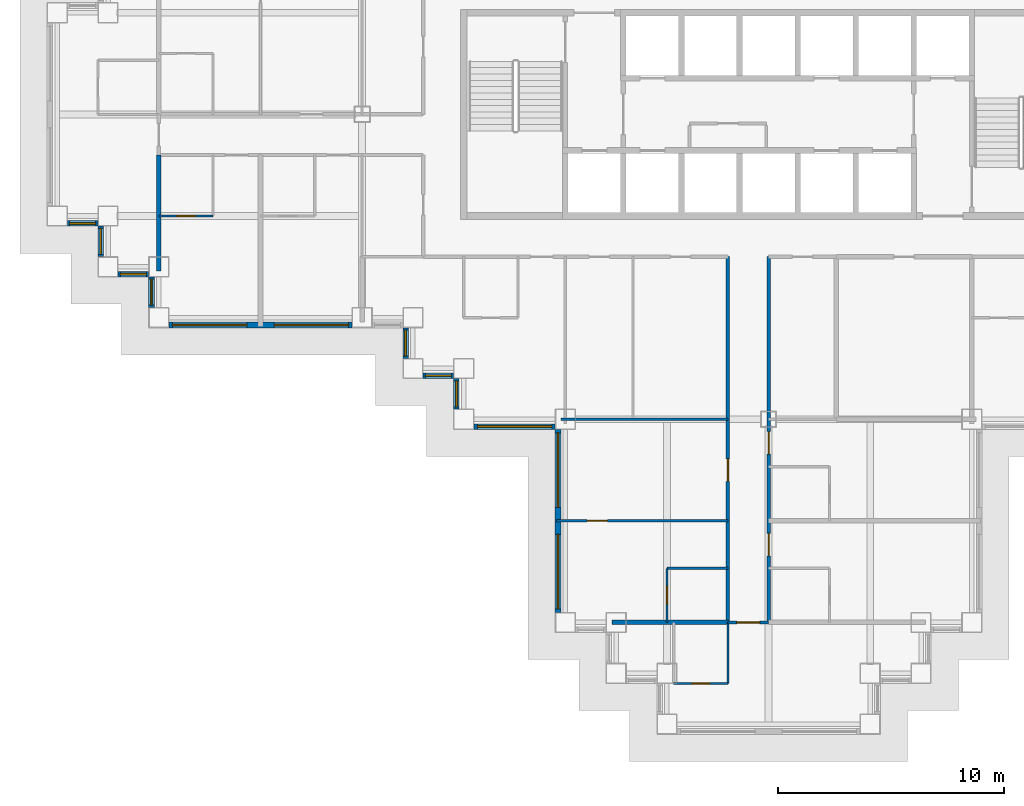
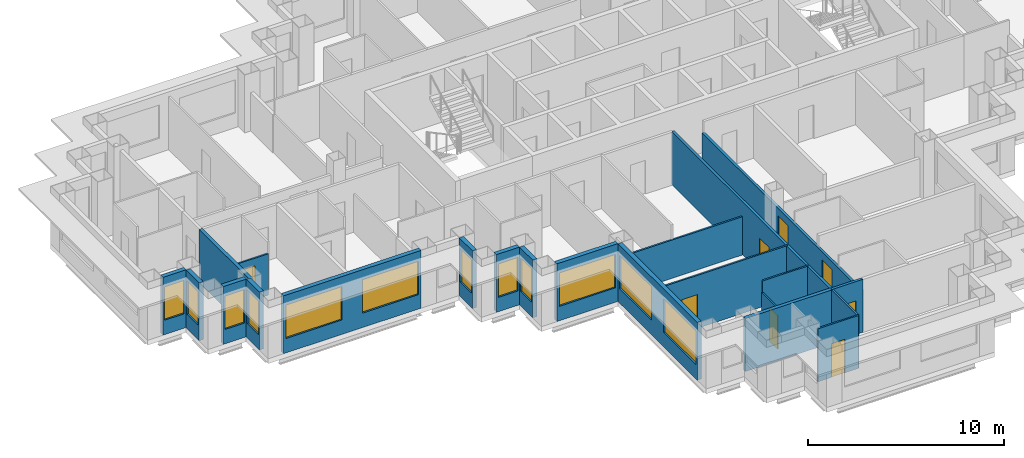
# One storey, part 3 of 15: 22 walls, 12 windows, 8 doors, 20 openings.
"""IFC4 building model written with IfcOpenShell, lengths in metres."""

from ifc_helpers import new_model, si_unit, direction, frame, frame_2d, origin, place, context, subcontext, project, spatial, rectangle, extrude, material, layer, layer_set, type_object, element, fill, save


model = new_model("IFC4")

# Units and contexts
model_context = context("Model", 3, precision=1e-05, world=origin(), true_north=direction((0.0, 1.0)))
body_context = subcontext(model_context, "Body", "Model", "MODEL_VIEW")
ifc_project = project(units=[si_unit("LENGTHUNIT", "METRE"), si_unit("AREAUNIT", "SQUARE_METRE"), si_unit("VOLUMEUNIT", "CUBIC_METRE"), si_unit("PLANEANGLEUNIT", "RADIAN"), si_unit("MASSUNIT", "GRAM", prefix="KILO")], contexts=[model_context])

# Site, building, storey
site_placement = place(None, origin())
site = spatial("IfcSite", under=ifc_project, at=site_placement, CompositionType="ELEMENT")
building_placement = place(site_placement, origin())
building = spatial("IfcBuilding", under=site, at=building_placement, Name="Caravel Reach Hotel and Residences", CompositionType="ELEMENT")
storey_placement = place(building_placement, frame((0.0, 0.0, 108.0)))
storey = spatial("IfcBuildingStorey", under=building, at=storey_placement, Name="L26", CompositionType="ELEMENT", Elevation=108.0)

# Wall, opening, door
ifc_material_1 = material(Name="Gypsum board on steel stud", Category="steel")
ifc_layer_1 = layer(ifc_material_1, 0.10009765625)
ifc_layer_set_1 = layer_set([ifc_layer_1], Name="Bathroom pod wall 100 mm")
wall_type_1 = type_object("IfcWallType", Name="Bathroom pod wall 100 mm", PredefinedType="PARTITIONING", material=ifc_layer_set_1)
wall_1_placement = place(storey_placement, frame((27.300048828125, 1.800048828125, 0.0), z_axis=(0.0, 0.0, 1.0), x_axis=(1.0, 0.0, 0.0)))
wall_1 = element("IfcWall", 1, at=wall_1_placement, inside=storey, type_object=wall_type_1, Name="L26 wall w081", PredefinedType="PARTITIONING", context=body_context, shape_type="SweptSolid", body=[
    extrude(rectangle(XDim=2.39990234375, YDim=0.10009765625, at=frame_2d((1.199951171875, 0.0))), origin(), (0.0, 0.0, 1.0), 3.300048828125),
])
opening_1_placement = place(wall_1_placement, frame((0.800048828125, 0.0, 0.0)))
opening_1 = element("IfcOpeningElement", 2, at=opening_1_placement, cuts=wall_1, Name="Opening D26-044", PredefinedType="OPENING", context=body_context, shape_type="SweptSolid", body=[
    extrude(rectangle(XDim=0.800048828125, YDim=2.10009765625, at=frame_2d((0.39990234375, 1.050048828125))), frame((0.0, 0.06005859375, 0.0), z_axis=(0.0, -1.0, 0.0), x_axis=(1.0, 0.0, 0.0)), (0.0, 0.0, 1.0), 0.1201171875),
])
ifc_material_2 = material(Name="Timber and steel door leaf", Category="steel")
door_type_1 = type_object("IfcDoorType", Name="Bathroom door 800 x 2100", OperationType="SINGLE_SWING_LEFT", PredefinedType="DOOR", material=ifc_material_2)
door_1_placement = place(opening_1_placement, origin())
door_1 = element("IfcDoor", 3, at=door_1_placement, inside=storey, type_object=door_type_1, Name="door D26-044", OperationType="SINGLE_SWING_RIGHT", OverallHeight=2.10009765625, OverallWidth=0.800048828125, PredefinedType="DOOR", context=body_context, shape_type="SweptSolid", body=[
    extrude(rectangle(XDim=0.800048828125, YDim=2.10009765625, at=frame_2d((0.39990234375, 1.050048828125))), frame((0.0, 0.02490234375, 0.0), z_axis=(0.0, -1.0, 0.0), x_axis=(1.0, 0.0, 0.0)), (0.0, 0.0, 1.0), 0.050048828125),
])
fill(opening_1, door_1)

wall_2_placement = place(storey_placement, frame((4.5, 22.5, 0.0), z_axis=(0.0, 0.0, 1.0), x_axis=(1.0, 0.0, 0.0)))
wall_2 = element("IfcWall", 4, at=wall_2_placement, inside=storey, type_object=wall_type_1, Name="L26 wall w086", PredefinedType="PARTITIONING", context=body_context, shape_type="SweptSolid", body=[
    extrude(rectangle(XDim=2.39990234375, YDim=0.10009765625, at=frame_2d((1.199951171875, 0.0))), origin(), (0.0, 0.0, 1.0), 2.580078125),
])
opening_2_placement = place(wall_2_placement, frame((0.800048828125, 0.0, 0.0)))
opening_2 = element("IfcOpeningElement", 5, at=opening_2_placement, cuts=wall_2, Name="Opening D26-018", PredefinedType="OPENING", context=body_context, shape_type="SweptSolid", body=[
    extrude(rectangle(XDim=0.800048828125, YDim=2.10009765625, at=frame_2d((0.39990234375, 1.050048828125))), frame((0.0, 0.06005859375, 0.0), z_axis=(0.0, -1.0, 0.0), x_axis=(1.0, 0.0, 0.0)), (0.0, 0.0, 1.0), 0.1201171875),
])
door_2_placement = place(opening_2_placement, origin())
door_2 = element("IfcDoor", 6, at=door_2_placement, inside=storey, type_object=door_type_1, Name="door D26-018", OperationType="SINGLE_SWING_LEFT", OverallHeight=2.10009765625, OverallWidth=0.800048828125, PredefinedType="DOOR", context=body_context, shape_type="SweptSolid", body=[
    extrude(rectangle(XDim=0.800048828125, YDim=2.10009765625, at=frame_2d((0.39990234375, 1.050048828125))), frame((0.0, 0.02490234375, 0.0), z_axis=(0.0, -1.0, 0.0), x_axis=(1.0, 0.0, 0.0)), (0.0, 0.0, 1.0), 0.050048828125),
])
fill(opening_2, door_2)

# Wall
wall_3_placement = place(storey_placement, frame((27.0, 6.89990234375, 0.0), z_axis=(0.0, 0.0, 1.0), x_axis=(1.0, 0.0, 0.0)))
element("IfcWall", 7, at=wall_3_placement, inside=storey, type_object=wall_type_1, Name="L26 wall w097", PredefinedType="PARTITIONING", context=body_context, shape_type="SweptSolid", body=[
    extrude(rectangle(XDim=2.699951171875, YDim=0.10009765625, at=frame_2d((1.35009765625, 0.0))), origin(), (0.0, 0.0, 1.0), 3.300048828125),
])

# Wall, opening, door
wall_4_placement = place(storey_placement, frame((27.0, 4.5, 0.0), z_axis=(0.0, 0.0, 1.0), x_axis=(0.0, 1.0, 0.0)))
wall_4 = element("IfcWall", 8, at=wall_4_placement, inside=storey, type_object=wall_type_1, Name="L26 wall w104", PredefinedType="PARTITIONING", context=body_context, shape_type="SweptSolid", body=[
    extrude(rectangle(XDim=2.39990234375, YDim=0.10009765625, at=frame_2d((1.199951171875, 0.0))), origin(), (0.0, 0.0, 1.0), 2.580078125),
])
opening_3_placement = place(wall_4_placement, frame((0.800048828125, 0.0, 0.0)))
opening_3 = element("IfcOpeningElement", 9, at=opening_3_placement, cuts=wall_4, Name="Opening D26-034", PredefinedType="OPENING", context=body_context, shape_type="SweptSolid", body=[
    extrude(rectangle(XDim=0.800048828125, YDim=2.10009765625, at=frame_2d((0.39990234375, 1.050048828125))), frame((0.0, 0.06005859375, 0.0), z_axis=(0.0, -1.0, 0.0), x_axis=(1.0, 0.0, 0.0)), (0.0, 0.0, 1.0), 0.1201171875),
])
door_3_placement = place(opening_3_placement, origin())
door_3 = element("IfcDoor", 10, at=door_3_placement, inside=storey, type_object=door_type_1, Name="door D26-034", OperationType="SINGLE_SWING_LEFT", OverallHeight=2.10009765625, OverallWidth=0.800048828125, PredefinedType="DOOR", context=body_context, shape_type="SweptSolid", body=[
    extrude(rectangle(XDim=0.800048828125, YDim=2.10009765625, at=frame_2d((0.39990234375, 1.050048828125))), frame((0.0, 0.02490234375, 0.0), z_axis=(0.0, -1.0, 0.0), x_axis=(1.0, 0.0, 0.0)), (0.0, 0.0, 1.0), 0.050048828125),
])
fill(opening_3, door_3)

# Wall
wall_5_placement = place(storey_placement, frame((29.699951171875, 1.800048828125, 0.0), z_axis=(0.0, 0.0, 1.0), x_axis=(0.0, 1.0, 0.0)))
element("IfcWall", 11, at=wall_5_placement, inside=storey, type_object=wall_type_1, Name="L26 wall w107", PredefinedType="PARTITIONING", context=body_context, shape_type="SweptSolid", body=[
    extrude(rectangle(XDim=2.699951171875, YDim=0.10009765625, at=frame_2d((1.35009765625, 0.0))), origin(), (0.0, 0.0, 1.0), 3.300048828125),
])

# Wall, opening, door
ifc_material_3 = material(Name="Gypsum board on steel stud, fire-rated", Category="steel")
ifc_layer_2 = layer(ifc_material_3, 0.14990234375)
ifc_layer_set_2 = layer_set([ifc_layer_2], Name="Corridor wall 150 mm EI 60")
wall_type_2 = type_object("IfcWallType", Name="Corridor wall 150 mm EI 60", PredefinedType="PARTITIONING", material=ifc_layer_set_2)
wall_6_placement = place(storey_placement, frame((29.699951171875, 4.5, 0.0), z_axis=(0.0, 0.0, 1.0), x_axis=(1.0, 0.0, 0.0)))
wall_6 = element("IfcWall", 12, at=wall_6_placement, inside=storey, type_object=wall_type_2, Name="L26 wall w024", PredefinedType="PARTITIONING", context=body_context, shape_type="SweptSolid", body=[
    extrude(rectangle(XDim=1.800048828125, YDim=0.14990234375, at=frame_2d((0.89990234375, 0.0))), origin(), (0.0, 0.0, 1.0), 3.300048828125),
])
opening_4_placement = place(wall_6_placement, frame((0.39990234375, 0.0, 0.0)))
opening_4 = element("IfcOpeningElement", 13, at=opening_4_placement, cuts=wall_6, Name="Opening D26-043", PredefinedType="OPENING", context=body_context, shape_type="SweptSolid", body=[
    extrude(rectangle(XDim=1.0, YDim=2.10009765625, at=frame_2d((0.5, 1.050048828125))), frame((0.0, 0.0849609375, 0.0), z_axis=(0.0, -1.0, 0.0), x_axis=(1.0, 0.0, 0.0)), (0.0, 0.0, 1.0), 0.169921875),
])
ifc_material_4 = material(Name="Steel fire door leaf", Category="steel")
door_type_2 = type_object("IfcDoorType", Name="Guest room door 1000 x 2100 EI 30", OperationType="SINGLE_SWING_LEFT", PredefinedType="DOOR", material=ifc_material_4)
door_4_placement = place(opening_4_placement, origin())
door_4 = element("IfcDoor", 14, at=door_4_placement, inside=storey, type_object=door_type_2, Name="door D26-043", OperationType="SINGLE_SWING_RIGHT", OverallHeight=2.10009765625, OverallWidth=1.0, PredefinedType="DOOR", context=body_context, shape_type="SweptSolid", body=[
    extrude(rectangle(XDim=1.0, YDim=2.10009765625, at=frame_2d((0.5, 1.050048828125))), frame((0.0, 0.02490234375, 0.0), z_axis=(0.0, -1.0, 0.0), x_axis=(1.0, 0.0, 0.0)), (0.0, 0.0, 1.0), 0.050048828125),
])
fill(opening_4, door_4)

wall_7_placement = place(storey_placement, frame((29.699951171875, 4.5, 0.0), z_axis=(0.0, 0.0, 1.0), x_axis=(0.0, 1.0, 0.0)))
wall_7 = element("IfcWall", 15, at=wall_7_placement, inside=storey, type_object=wall_type_2, Name="L26 wall w029", PredefinedType="PARTITIONING", context=body_context, shape_type="SweptSolid", body=[
    extrude(rectangle(XDim=16.199951171875, YDim=0.14990234375, at=frame_2d((8.10009765625, 0.0))), origin(), (0.0, 0.0, 1.0), 3.300048828125),
])
opening_5_placement = place(wall_7_placement, frame((6.25, 0.0, 0.0)))
opening_5 = element("IfcOpeningElement", 16, at=opening_5_placement, cuts=wall_7, Name="Opening D26-032", PredefinedType="OPENING", context=body_context, shape_type="SweptSolid", body=[
    extrude(rectangle(XDim=1.0, YDim=2.10009765625, at=frame_2d((0.5, 1.050048828125))), frame((0.0, 0.0849609375, 0.0), z_axis=(0.0, -1.0, 0.0), x_axis=(1.0, 0.0, 0.0)), (0.0, 0.0, 1.0), 0.169921875),
])
door_5_placement = place(opening_5_placement, origin())
door_5 = element("IfcDoor", 17, at=door_5_placement, inside=storey, type_object=door_type_2, Name="door D26-032", OperationType="SINGLE_SWING_RIGHT", OverallHeight=2.10009765625, OverallWidth=1.0, PredefinedType="DOOR", context=body_context, shape_type="SweptSolid", body=[
    extrude(rectangle(XDim=1.0, YDim=2.10009765625, at=frame_2d((0.5, 1.050048828125))), frame((0.0, 0.02490234375, 0.0), z_axis=(0.0, -1.0, 0.0), x_axis=(1.0, 0.0, 0.0)), (0.0, 0.0, 1.0), 0.050048828125),
])
fill(opening_5, door_5)

# Wall, openings, doors
wall_8_placement = place(storey_placement, frame((31.5, 4.5, 0.0), z_axis=(0.0, 0.0, 1.0), x_axis=(0.0, 1.0, 0.0)))
wall_8 = element("IfcWall", 18, at=wall_8_placement, inside=storey, type_object=wall_type_2, Name="L26 wall w033", PredefinedType="PARTITIONING", context=body_context, shape_type="SweptSolid", body=[
    extrude(rectangle(XDim=16.199951171875, YDim=0.14990234375, at=frame_2d((8.10009765625, 0.0))), origin(), (0.0, 0.0, 1.0), 2.580078125),
])
opening_6_placement = place(wall_8_placement, frame((7.449951171875, 0.0, 0.0)))
opening_6 = element("IfcOpeningElement", 19, at=opening_6_placement, cuts=wall_8, Name="Opening D26-035", PredefinedType="OPENING", context=body_context, shape_type="SweptSolid", body=[
    extrude(rectangle(XDim=1.0, YDim=2.10009765625, at=frame_2d((0.5, 1.050048828125))), frame((0.0, 0.0849609375, 0.0), z_axis=(0.0, -1.0, 0.0), x_axis=(1.0, 0.0, 0.0)), (0.0, 0.0, 1.0), 0.169921875),
])
opening_7_placement = place(wall_8_placement, frame((2.949951171875, 0.0, 0.0)))
opening_7 = element("IfcOpeningElement", 20, at=opening_7_placement, cuts=wall_8, Name="Opening D26-037", PredefinedType="OPENING", context=body_context, shape_type="SweptSolid", body=[
    extrude(rectangle(XDim=1.0, YDim=2.10009765625, at=frame_2d((0.5, 1.050048828125))), frame((0.0, 0.0849609375, 0.0), z_axis=(0.0, -1.0, 0.0), x_axis=(1.0, 0.0, 0.0)), (0.0, 0.0, 1.0), 0.169921875),
])
door_6_placement = place(opening_6_placement, origin())
door_6 = element("IfcDoor", 21, at=door_6_placement, inside=storey, type_object=door_type_2, Name="door D26-035", OperationType="SINGLE_SWING_RIGHT", OverallHeight=2.10009765625, OverallWidth=1.0, PredefinedType="DOOR", context=body_context, shape_type="SweptSolid", body=[
    extrude(rectangle(XDim=1.0, YDim=2.10009765625, at=frame_2d((0.5, 1.050048828125))), frame((0.0, 0.02490234375, 0.0), z_axis=(0.0, -1.0, 0.0), x_axis=(1.0, 0.0, 0.0)), (0.0, 0.0, 1.0), 0.050048828125),
])
fill(opening_6, door_6)
door_7_placement = place(opening_7_placement, origin())
door_7 = element("IfcDoor", 22, at=door_7_placement, inside=storey, type_object=door_type_2, Name="door D26-037", OperationType="SINGLE_SWING_RIGHT", OverallHeight=2.10009765625, OverallWidth=1.0, PredefinedType="DOOR", context=body_context, shape_type="SweptSolid", body=[
    extrude(rectangle(XDim=1.0, YDim=2.10009765625, at=frame_2d((0.5, 1.050048828125))), frame((0.0, 0.02490234375, 0.0), z_axis=(0.0, -1.0, 0.0), x_axis=(1.0, 0.0, 0.0)), (0.0, 0.0, 1.0), 0.050048828125),
])
fill(opening_7, door_7)

# Wall, opening, window
ifc_material_5 = material(Name="Insulated rainscreen wall, aluminium cladding", Category="aluminium")
ifc_layer_3 = layer(ifc_material_5, 0.25)
ifc_layer_set_3 = layer_set([ifc_layer_3], Name="EW1 Tower rainscreen wall")
wall_type_3 = type_object("IfcWallType", Name="EW1 Tower rainscreen wall", PredefinedType="SOLIDWALL", material=ifc_layer_set_3)
wall_9_placement = place(storey_placement, frame((0.449951171875, 22.175048828125, 0.0), z_axis=(0.0, 0.0, 1.0), x_axis=(1.0, 0.0, 0.0)))
wall_9 = element("IfcWall", 23, at=wall_9_placement, inside=storey, type_object=wall_type_3, Name="External wall L26 S51.1", PredefinedType="SOLIDWALL", context=body_context, shape_type="SweptSolid", body=[
    extrude(rectangle(XDim=1.35009765625, YDim=0.25, at=frame_2d((0.675048828125, 0.0))), origin(), (0.0, 0.0, 1.0), 3.60009765625),
])
opening_8_placement = place(wall_9_placement, frame((0.10009765625, 0.0, 0.89990234375)))
opening_8 = element("IfcOpeningElement", 24, at=opening_8_placement, cuts=wall_9, Name="Opening WN8", PredefinedType="OPENING", context=body_context, shape_type="SweptSolid", body=[
    extrude(rectangle(XDim=1.14990234375, YDim=2.080078125, at=frame_2d((0.574951171875, 1.0400390625))), frame((0.0, 0.135009765625, 0.0), z_axis=(0.0, -1.0, 0.0), x_axis=(1.0, 0.0, 0.0)), (0.0, 0.0, 1.0), 0.27001953125),
])
ifc_material_6 = material(Name="Dark low-e glazing in black aluminium frame", Category="aluminium")
window_type_1 = type_object("IfcWindowType", Name="Hotel suite corner window 1150 x 2080", PartitioningType="SINGLE_PANEL", PredefinedType="WINDOW", material=ifc_material_6)
window_1_placement = place(opening_8_placement, origin())
window_1 = element("IfcWindow", 25, at=window_1_placement, inside=storey, type_object=window_type_1, Name="Window L26 S51.1.1", OverallHeight=2.080078125, OverallWidth=1.14990234375, PartitioningType="SINGLE_PANEL", PredefinedType="WINDOW", context=body_context, shape_type="SweptSolid", body=[
    extrude(rectangle(XDim=1.14990234375, YDim=2.080078125, at=frame_2d((0.574951171875, 1.0400390625))), frame((0.0, 0.030029296875, 0.0), z_axis=(0.0, -1.0, 0.0), x_axis=(1.0, 0.0, 0.0)), (0.0, 0.0, 1.0), 0.06005859375),
])
fill(opening_8, window_1)

wall_10_placement = place(storey_placement, frame((1.925048828125, 22.050048828125, 0.0), z_axis=(0.0, 0.0, 1.0), x_axis=(0.0, -1.0, 0.0)))
wall_10 = element("IfcWall", 26, at=wall_10_placement, inside=storey, type_object=wall_type_3, Name="External wall L26 W52.1", PredefinedType="SOLIDWALL", context=body_context, shape_type="SweptSolid", body=[
    extrude(rectangle(XDim=1.35009765625, YDim=0.25, at=frame_2d((0.675048828125, 0.0))), origin(), (0.0, 0.0, 1.0), 3.60009765625),
])
opening_9_placement = place(wall_10_placement, frame((0.10009765625, 0.0, 0.89990234375)))
opening_9 = element("IfcOpeningElement", 27, at=opening_9_placement, cuts=wall_10, Name="Opening WN8", PredefinedType="OPENING", context=body_context, shape_type="SweptSolid", body=[
    extrude(rectangle(XDim=1.14990234375, YDim=2.080078125, at=frame_2d((0.574951171875, 1.0400390625))), frame((0.0, 0.135009765625, 0.0), z_axis=(0.0, -1.0, 0.0), x_axis=(1.0, 0.0, 0.0)), (0.0, 0.0, 1.0), 0.27001953125),
])
window_2_placement = place(opening_9_placement, origin())
window_2 = element("IfcWindow", 28, at=window_2_placement, inside=storey, type_object=window_type_1, Name="Window L26 W52.1.1", OverallHeight=2.080078125, OverallWidth=1.14990234375, PartitioningType="SINGLE_PANEL", PredefinedType="WINDOW", context=body_context, shape_type="SweptSolid", body=[
    extrude(rectangle(XDim=1.14990234375, YDim=2.080078125, at=frame_2d((0.574951171875, 1.0400390625))), frame((0.0, 0.030029296875, 0.0), z_axis=(0.0, -1.0, 0.0), x_axis=(1.0, 0.0, 0.0)), (0.0, 0.0, 1.0), 0.06005859375),
])
fill(opening_9, window_2)

wall_11_placement = place(storey_placement, frame((2.699951171875, 19.925048828125, 0.0), z_axis=(0.0, 0.0, 1.0), x_axis=(1.0, 0.0, 0.0)))
wall_11 = element("IfcWall", 29, at=wall_11_placement, inside=storey, type_object=wall_type_3, Name="External wall L26 S53.1", PredefinedType="SOLIDWALL", context=body_context, shape_type="SweptSolid", body=[
    extrude(rectangle(XDim=1.35009765625, YDim=0.25, at=frame_2d((0.675048828125, 0.0))), origin(), (0.0, 0.0, 1.0), 3.60009765625),
])
opening_10_placement = place(wall_11_placement, frame((0.10009765625, 0.0, 0.89990234375)))
opening_10 = element("IfcOpeningElement", 30, at=opening_10_placement, cuts=wall_11, Name="Opening WN8", PredefinedType="OPENING", context=body_context, shape_type="SweptSolid", body=[
    extrude(rectangle(XDim=1.14990234375, YDim=2.080078125, at=frame_2d((0.574951171875, 1.0400390625))), frame((0.0, 0.135009765625, 0.0), z_axis=(0.0, -1.0, 0.0), x_axis=(1.0, 0.0, 0.0)), (0.0, 0.0, 1.0), 0.27001953125),
])
window_3_placement = place(opening_10_placement, origin())
window_3 = element("IfcWindow", 31, at=window_3_placement, inside=storey, type_object=window_type_1, Name="Window L26 S53.1.1", OverallHeight=2.080078125, OverallWidth=1.14990234375, PartitioningType="SINGLE_PANEL", PredefinedType="WINDOW", context=body_context, shape_type="SweptSolid", body=[
    extrude(rectangle(XDim=1.14990234375, YDim=2.080078125, at=frame_2d((0.574951171875, 1.0400390625))), frame((0.0, 0.030029296875, 0.0), z_axis=(0.0, -1.0, 0.0), x_axis=(1.0, 0.0, 0.0)), (0.0, 0.0, 1.0), 0.06005859375),
])
fill(opening_10, window_3)

wall_12_placement = place(storey_placement, frame((4.175048828125, 19.800048828125, 0.0), z_axis=(0.0, 0.0, 1.0), x_axis=(0.0, -1.0, 0.0)))
wall_12 = element("IfcWall", 32, at=wall_12_placement, inside=storey, type_object=wall_type_3, Name="External wall L26 W54.1", PredefinedType="SOLIDWALL", context=body_context, shape_type="SweptSolid", body=[
    extrude(rectangle(XDim=1.35009765625, YDim=0.25, at=frame_2d((0.675048828125, 0.0))), origin(), (0.0, 0.0, 1.0), 3.60009765625),
])
opening_11_placement = place(wall_12_placement, frame((0.10009765625, 0.0, 0.89990234375)))
opening_11 = element("IfcOpeningElement", 33, at=opening_11_placement, cuts=wall_12, Name="Opening WN8", PredefinedType="OPENING", context=body_context, shape_type="SweptSolid", body=[
    extrude(rectangle(XDim=1.14990234375, YDim=2.080078125, at=frame_2d((0.574951171875, 1.0400390625))), frame((0.0, 0.135009765625, 0.0), z_axis=(0.0, -1.0, 0.0), x_axis=(1.0, 0.0, 0.0)), (0.0, 0.0, 1.0), 0.27001953125),
])
window_4_placement = place(opening_11_placement, origin())
window_4 = element("IfcWindow", 34, at=window_4_placement, inside=storey, type_object=window_type_1, Name="Window L26 W54.1.1", OverallHeight=2.080078125, OverallWidth=1.14990234375, PartitioningType="SINGLE_PANEL", PredefinedType="WINDOW", context=body_context, shape_type="SweptSolid", body=[
    extrude(rectangle(XDim=1.14990234375, YDim=2.080078125, at=frame_2d((0.574951171875, 1.0400390625))), frame((0.0, 0.030029296875, 0.0), z_axis=(0.0, -1.0, 0.0), x_axis=(1.0, 0.0, 0.0)), (0.0, 0.0, 1.0), 0.06005859375),
])
fill(opening_11, window_4)

# Wall, openings, windows
wall_13_placement = place(storey_placement, frame((4.949951171875, 17.675048828125, 0.0), z_axis=(0.0, 0.0, 1.0), x_axis=(1.0, 0.0, 0.0)))
wall_13 = element("IfcWall", 35, at=wall_13_placement, inside=storey, type_object=wall_type_3, Name="External wall L26 S55.1", PredefinedType="SOLIDWALL", context=body_context, shape_type="SweptSolid", body=[
    extrude(rectangle(XDim=8.10009765625, YDim=0.25, at=frame_2d((4.050048828125, 0.0))), origin(), (0.0, 0.0, 1.0), 3.60009765625),
])
opening_12_placement = place(wall_13_placement, frame((0.14990234375, 0.0, 0.89990234375)))
opening_12 = element("IfcOpeningElement", 36, at=opening_12_placement, cuts=wall_13, Name="Opening WN4", PredefinedType="OPENING", context=body_context, shape_type="SweptSolid", body=[
    extrude(rectangle(XDim=3.300048828125, YDim=2.080078125, at=frame_2d((1.64990234375, 1.0400390625))), frame((0.0, 0.135009765625, 0.0), z_axis=(0.0, -1.0, 0.0), x_axis=(1.0, 0.0, 0.0)), (0.0, 0.0, 1.0), 0.27001953125),
])
opening_13_placement = place(wall_13_placement, frame((4.64990234375, 0.0, 0.89990234375)))
opening_13 = element("IfcOpeningElement", 37, at=opening_13_placement, cuts=wall_13, Name="Opening WN4", PredefinedType="OPENING", context=body_context, shape_type="SweptSolid", body=[
    extrude(rectangle(XDim=3.300048828125, YDim=2.080078125, at=frame_2d((1.64990234375, 1.0400390625))), frame((0.0, 0.135009765625, 0.0), z_axis=(0.0, -1.0, 0.0), x_axis=(1.0, 0.0, 0.0)), (0.0, 0.0, 1.0), 0.27001953125),
])
ifc_material_7 = material(Name="Dark low-e glazing in black aluminium frame", Category="aluminium")
window_type_2 = type_object("IfcWindowType", Name="Hotel guest room window 3300 x 2080", PartitioningType="SINGLE_PANEL", PredefinedType="WINDOW", material=ifc_material_7)
window_5_placement = place(opening_12_placement, origin())
window_5 = element("IfcWindow", 38, at=window_5_placement, inside=storey, type_object=window_type_2, Name="Window L26 S55.1.1", OverallHeight=2.080078125, OverallWidth=3.300048828125, PartitioningType="SINGLE_PANEL", PredefinedType="WINDOW", context=body_context, shape_type="SweptSolid", body=[
    extrude(rectangle(XDim=3.300048828125, YDim=2.080078125, at=frame_2d((1.64990234375, 1.0400390625))), frame((0.0, 0.030029296875, 0.0), z_axis=(0.0, -1.0, 0.0), x_axis=(1.0, 0.0, 0.0)), (0.0, 0.0, 1.0), 0.06005859375),
])
fill(opening_12, window_5)
window_6_placement = place(opening_13_placement, origin())
window_6 = element("IfcWindow", 39, at=window_6_placement, inside=storey, type_object=window_type_2, Name="Window L26 S55.1.2", OverallHeight=2.080078125, OverallWidth=3.300048828125, PartitioningType="SINGLE_PANEL", PredefinedType="WINDOW", context=body_context, shape_type="SweptSolid", body=[
    extrude(rectangle(XDim=3.300048828125, YDim=2.080078125, at=frame_2d((1.64990234375, 1.0400390625))), frame((0.0, 0.030029296875, 0.0), z_axis=(0.0, -1.0, 0.0), x_axis=(1.0, 0.0, 0.0)), (0.0, 0.0, 1.0), 0.06005859375),
])
fill(opening_13, window_6)

# Wall, opening, window
wall_14_placement = place(storey_placement, frame((15.425048828125, 17.550048828125, 0.0), z_axis=(0.0, 0.0, 1.0), x_axis=(0.0, -1.0, 0.0)))
wall_14 = element("IfcWall", 40, at=wall_14_placement, inside=storey, type_object=wall_type_3, Name="External wall L26 W56.1", PredefinedType="SOLIDWALL", context=body_context, shape_type="SweptSolid", body=[
    extrude(rectangle(XDim=1.35009765625, YDim=0.25, at=frame_2d((0.675048828125, 0.0))), origin(), (0.0, 0.0, 1.0), 3.60009765625),
])
opening_14_placement = place(wall_14_placement, frame((0.10009765625, 0.0, 0.89990234375)))
opening_14 = element("IfcOpeningElement", 41, at=opening_14_placement, cuts=wall_14, Name="Opening WN8", PredefinedType="OPENING", context=body_context, shape_type="SweptSolid", body=[
    extrude(rectangle(XDim=1.14990234375, YDim=2.080078125, at=frame_2d((0.574951171875, 1.0400390625))), frame((0.0, 0.135009765625, 0.0), z_axis=(0.0, -1.0, 0.0), x_axis=(1.0, 0.0, 0.0)), (0.0, 0.0, 1.0), 0.27001953125),
])
window_7_placement = place(opening_14_placement, origin())
window_7 = element("IfcWindow", 42, at=window_7_placement, inside=storey, type_object=window_type_1, Name="Window L26 W56.1.1", OverallHeight=2.080078125, OverallWidth=1.14990234375, PartitioningType="SINGLE_PANEL", PredefinedType="WINDOW", context=body_context, shape_type="SweptSolid", body=[
    extrude(rectangle(XDim=1.14990234375, YDim=2.080078125, at=frame_2d((0.574951171875, 1.0400390625))), frame((0.0, 0.030029296875, 0.0), z_axis=(0.0, -1.0, 0.0), x_axis=(1.0, 0.0, 0.0)), (0.0, 0.0, 1.0), 0.06005859375),
])
fill(opening_14, window_7)

wall_15_placement = place(storey_placement, frame((16.199951171875, 15.425048828125, 0.0), z_axis=(0.0, 0.0, 1.0), x_axis=(1.0, 0.0, 0.0)))
wall_15 = element("IfcWall", 43, at=wall_15_placement, inside=storey, type_object=wall_type_3, Name="External wall L26 S57.1", PredefinedType="SOLIDWALL", context=body_context, shape_type="SweptSolid", body=[
    extrude(rectangle(XDim=1.35009765625, YDim=0.25, at=frame_2d((0.675048828125, 0.0))), origin(), (0.0, 0.0, 1.0), 3.60009765625),
])
opening_15_placement = place(wall_15_placement, frame((0.10009765625, 0.0, 0.89990234375)))
opening_15 = element("IfcOpeningElement", 44, at=opening_15_placement, cuts=wall_15, Name="Opening WN8", PredefinedType="OPENING", context=body_context, shape_type="SweptSolid", body=[
    extrude(rectangle(XDim=1.14990234375, YDim=2.080078125, at=frame_2d((0.574951171875, 1.0400390625))), frame((0.0, 0.135009765625, 0.0), z_axis=(0.0, -1.0, 0.0), x_axis=(1.0, 0.0, 0.0)), (0.0, 0.0, 1.0), 0.27001953125),
])
window_8_placement = place(opening_15_placement, origin())
window_8 = element("IfcWindow", 45, at=window_8_placement, inside=storey, type_object=window_type_1, Name="Window L26 S57.1.1", OverallHeight=2.080078125, OverallWidth=1.14990234375, PartitioningType="SINGLE_PANEL", PredefinedType="WINDOW", context=body_context, shape_type="SweptSolid", body=[
    extrude(rectangle(XDim=1.14990234375, YDim=2.080078125, at=frame_2d((0.574951171875, 1.0400390625))), frame((0.0, 0.030029296875, 0.0), z_axis=(0.0, -1.0, 0.0), x_axis=(1.0, 0.0, 0.0)), (0.0, 0.0, 1.0), 0.06005859375),
])
fill(opening_15, window_8)

wall_16_placement = place(storey_placement, frame((17.675048828125, 15.300048828125, 0.0), z_axis=(0.0, 0.0, 1.0), x_axis=(0.0, -1.0, 0.0)))
wall_16 = element("IfcWall", 46, at=wall_16_placement, inside=storey, type_object=wall_type_3, Name="External wall L26 W58.1", PredefinedType="SOLIDWALL", context=body_context, shape_type="SweptSolid", body=[
    extrude(rectangle(XDim=1.35009765625, YDim=0.25, at=frame_2d((0.675048828125, 0.0))), origin(), (0.0, 0.0, 1.0), 3.60009765625),
])
opening_16_placement = place(wall_16_placement, frame((0.10009765625, 0.0, 0.89990234375)))
opening_16 = element("IfcOpeningElement", 47, at=opening_16_placement, cuts=wall_16, Name="Opening WN8", PredefinedType="OPENING", context=body_context, shape_type="SweptSolid", body=[
    extrude(rectangle(XDim=1.14990234375, YDim=2.080078125, at=frame_2d((0.574951171875, 1.0400390625))), frame((0.0, 0.135009765625, 0.0), z_axis=(0.0, -1.0, 0.0), x_axis=(1.0, 0.0, 0.0)), (0.0, 0.0, 1.0), 0.27001953125),
])
window_9_placement = place(opening_16_placement, origin())
window_9 = element("IfcWindow", 48, at=window_9_placement, inside=storey, type_object=window_type_1, Name="Window L26 W58.1.1", OverallHeight=2.080078125, OverallWidth=1.14990234375, PartitioningType="SINGLE_PANEL", PredefinedType="WINDOW", context=body_context, shape_type="SweptSolid", body=[
    extrude(rectangle(XDim=1.14990234375, YDim=2.080078125, at=frame_2d((0.574951171875, 1.0400390625))), frame((0.0, 0.030029296875, 0.0), z_axis=(0.0, -1.0, 0.0), x_axis=(1.0, 0.0, 0.0)), (0.0, 0.0, 1.0), 0.06005859375),
])
fill(opening_16, window_9)

wall_17_placement = place(storey_placement, frame((18.449951171875, 13.175048828125, 0.0), z_axis=(0.0, 0.0, 1.0), x_axis=(1.0, 0.0, 0.0)))
wall_17 = element("IfcWall", 49, at=wall_17_placement, inside=storey, type_object=wall_type_3, Name="External wall L26 S59.1", PredefinedType="SOLIDWALL", context=body_context, shape_type="SweptSolid", body=[
    extrude(rectangle(XDim=3.60009765625, YDim=0.25, at=frame_2d((1.800048828125, 0.0))), origin(), (0.0, 0.0, 1.0), 3.60009765625),
])
opening_17_placement = place(wall_17_placement, frame((0.14990234375, 0.0, 0.89990234375)))
opening_17 = element("IfcOpeningElement", 50, at=opening_17_placement, cuts=wall_17, Name="Opening WN4", PredefinedType="OPENING", context=body_context, shape_type="SweptSolid", body=[
    extrude(rectangle(XDim=3.300048828125, YDim=2.080078125, at=frame_2d((1.64990234375, 1.0400390625))), frame((0.0, 0.135009765625, 0.0), z_axis=(0.0, -1.0, 0.0), x_axis=(1.0, 0.0, 0.0)), (0.0, 0.0, 1.0), 0.27001953125),
])
window_10_placement = place(opening_17_placement, origin())
window_10 = element("IfcWindow", 51, at=window_10_placement, inside=storey, type_object=window_type_2, Name="Window L26 S59.1.1", OverallHeight=2.080078125, OverallWidth=3.300048828125, PartitioningType="SINGLE_PANEL", PredefinedType="WINDOW", context=body_context, shape_type="SweptSolid", body=[
    extrude(rectangle(XDim=3.300048828125, YDim=2.080078125, at=frame_2d((1.64990234375, 1.0400390625))), frame((0.0, 0.030029296875, 0.0), z_axis=(0.0, -1.0, 0.0), x_axis=(1.0, 0.0, 0.0)), (0.0, 0.0, 1.0), 0.06005859375),
])
fill(opening_17, window_10)

# Wall, openings, windows
wall_18_placement = place(storey_placement, frame((22.175048828125, 13.050048828125, 0.0), z_axis=(0.0, 0.0, 1.0), x_axis=(0.0, -1.0, 0.0)))
wall_18 = element("IfcWall", 52, at=wall_18_placement, inside=storey, type_object=wall_type_3, Name="External wall L26 W60.1", PredefinedType="SOLIDWALL", context=body_context, shape_type="SweptSolid", body=[
    extrude(rectangle(XDim=8.10009765625, YDim=0.25, at=frame_2d((4.050048828125, 0.0))), origin(), (0.0, 0.0, 1.0), 3.60009765625),
])
opening_18_placement = place(wall_18_placement, frame((0.14990234375, 0.0, 0.89990234375)))
opening_18 = element("IfcOpeningElement", 53, at=opening_18_placement, cuts=wall_18, Name="Opening WN4", PredefinedType="OPENING", context=body_context, shape_type="SweptSolid", body=[
    extrude(rectangle(XDim=3.300048828125, YDim=2.080078125, at=frame_2d((1.64990234375, 1.0400390625))), frame((0.0, 0.135009765625, 0.0), z_axis=(0.0, -1.0, 0.0), x_axis=(1.0, 0.0, 0.0)), (0.0, 0.0, 1.0), 0.27001953125),
])
opening_19_placement = place(wall_18_placement, frame((4.64990234375, 0.0, 0.89990234375)))
opening_19 = element("IfcOpeningElement", 54, at=opening_19_placement, cuts=wall_18, Name="Opening WN4", PredefinedType="OPENING", context=body_context, shape_type="SweptSolid", body=[
    extrude(rectangle(XDim=3.300048828125, YDim=2.080078125, at=frame_2d((1.64990234375, 1.0400390625))), frame((0.0, 0.135009765625, 0.0), z_axis=(0.0, -1.0, 0.0), x_axis=(1.0, 0.0, 0.0)), (0.0, 0.0, 1.0), 0.27001953125),
])
window_11_placement = place(opening_18_placement, origin())
window_11 = element("IfcWindow", 55, at=window_11_placement, inside=storey, type_object=window_type_2, Name="Window L26 W60.1.1", OverallHeight=2.080078125, OverallWidth=3.300048828125, PartitioningType="SINGLE_PANEL", PredefinedType="WINDOW", context=body_context, shape_type="SweptSolid", body=[
    extrude(rectangle(XDim=3.300048828125, YDim=2.080078125, at=frame_2d((1.64990234375, 1.0400390625))), frame((0.0, 0.030029296875, 0.0), z_axis=(0.0, -1.0, 0.0), x_axis=(1.0, 0.0, 0.0)), (0.0, 0.0, 1.0), 0.06005859375),
])
fill(opening_18, window_11)
window_12_placement = place(opening_19_placement, origin())
window_12 = element("IfcWindow", 56, at=window_12_placement, inside=storey, type_object=window_type_2, Name="Window L26 W60.1.2", OverallHeight=2.080078125, OverallWidth=3.300048828125, PartitioningType="SINGLE_PANEL", PredefinedType="WINDOW", context=body_context, shape_type="SweptSolid", body=[
    extrude(rectangle(XDim=3.300048828125, YDim=2.080078125, at=frame_2d((1.64990234375, 1.0400390625))), frame((0.0, 0.030029296875, 0.0), z_axis=(0.0, -1.0, 0.0), x_axis=(1.0, 0.0, 0.0)), (0.0, 0.0, 1.0), 0.06005859375),
])
fill(opening_19, window_12)

# Wall
ifc_material_8 = material(Name="Gypsum board on steel stud", Category="steel")
ifc_layer_4 = layer(ifc_material_8, 0.10009765625)
ifc_layer_set_4 = layer_set([ifc_layer_4], Name="Partition 100 mm")
wall_type_4 = type_object("IfcWallType", Name="Partition 100 mm", PredefinedType="PARTITIONING", material=ifc_layer_set_4)
wall_19_placement = place(storey_placement, frame((22.31005859375, 13.5, 0.0), z_axis=(0.0, 0.0, 1.0), x_axis=(1.0, 0.0, 0.0)))
element("IfcWall", 57, at=wall_19_placement, inside=storey, type_object=wall_type_4, Name="L26 wall w043", PredefinedType="PARTITIONING", context=body_context, shape_type="SweptSolid", body=[
    extrude(rectangle(XDim=7.389892578125, YDim=0.10009765625, at=frame_2d((3.69482421875, 0.0))), origin(), (0.0, 0.0, 1.0), 2.3798828125),
])

# Wall, opening, door
wall_20_placement = place(storey_placement, frame((22.110107421875, 9.0, 0.0), z_axis=(0.0, 0.0, 1.0), x_axis=(1.0, 0.0, 0.0)))
wall_20 = element("IfcWall", 58, at=wall_20_placement, inside=storey, type_object=wall_type_4, Name="L26 wall w055", PredefinedType="PARTITIONING", context=body_context, shape_type="SweptSolid", body=[
    extrude(rectangle(XDim=7.58984375, YDim=0.10009765625, at=frame_2d((3.794921875, 0.0))), origin(), (0.0, 0.0, 1.0), 3.300048828125),
])
opening_20_placement = place(wall_20_placement, frame((1.35009765625, 0.0, 0.0)))
opening_20 = element("IfcOpeningElement", 59, at=opening_20_placement, cuts=wall_20, Name="Opening D26-033", PredefinedType="OPENING", context=body_context, shape_type="SweptSolid", body=[
    extrude(rectangle(XDim=0.89990234375, YDim=2.10009765625, at=frame_2d((0.449951171875, 1.050048828125))), frame((0.0, 0.06005859375, 0.0), z_axis=(0.0, -1.0, 0.0), x_axis=(1.0, 0.0, 0.0)), (0.0, 0.0, 1.0), 0.1201171875),
])
ifc_material_9 = material(Name="Timber and steel door leaf", Category="steel")
door_type_3 = type_object("IfcDoorType", Name="Door 900 x 2100 timber", OperationType="SINGLE_SWING_LEFT", PredefinedType="DOOR", material=ifc_material_9)
door_8_placement = place(opening_20_placement, origin())
door_8 = element("IfcDoor", 60, at=door_8_placement, inside=storey, type_object=door_type_3, Name="door D26-033", OperationType="SINGLE_SWING_LEFT", OverallHeight=2.10009765625, OverallWidth=0.89990234375, PredefinedType="DOOR", context=body_context, shape_type="SweptSolid", body=[
    extrude(rectangle(XDim=0.89990234375, YDim=2.10009765625, at=frame_2d((0.449951171875, 1.050048828125))), frame((0.0, 0.02490234375, 0.0), z_axis=(0.0, -1.0, 0.0), x_axis=(1.0, 0.0, 0.0)), (0.0, 0.0, 1.0), 0.050048828125),
])
fill(opening_20, door_8)

# Walls
ifc_material_10 = material(Name="Autoclaved aerated block wall")
ifc_layer_5 = layer(ifc_material_10, 0.199951171875)
ifc_layer_set_5 = layer_set([ifc_layer_5], Name="Party wall 200 mm EI 60")
wall_type_5 = type_object("IfcWallType", Name="Party wall 200 mm EI 60", PredefinedType="PARTITIONING", material=ifc_layer_set_5)
for number, where, z_axis, x_axis, name in (
    (61, (24.56005859375, 4.5, 0.0), (0.0, 0.0, 1.0), (1.0, 0.0, 0.0), "L26 wall w072"),
    (62, (4.5, 20.06005859375, 0.0), (0.0, 0.0, 1.0), (0.0, 1.0, 0.0), "L26 wall w076"),
):
    element("IfcWall", number, at=place(storey_placement, frame(where, z_axis=z_axis, x_axis=x_axis)), inside=storey, type_object=wall_type_5, Name=name, PredefinedType="PARTITIONING", context=body_context, shape_type="SweptSolid", body=[
        extrude(rectangle(XDim=5.139892578125, YDim=0.199951171875, at=frame_2d((2.56982421875, 0.0))), origin(), (0.0, 0.0, 1.0), 3.300048828125),
    ])

save(model, "model.ifc")
